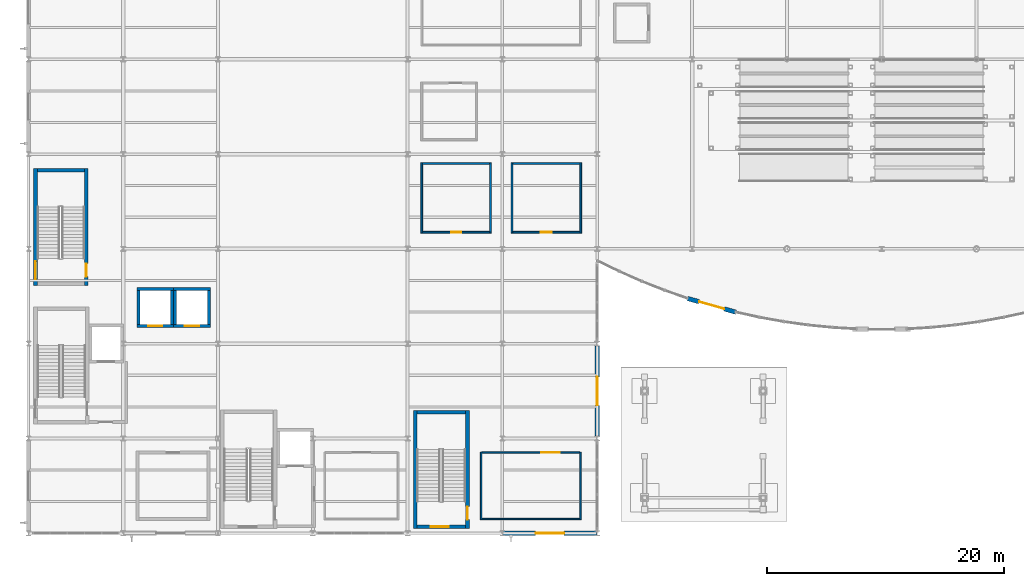
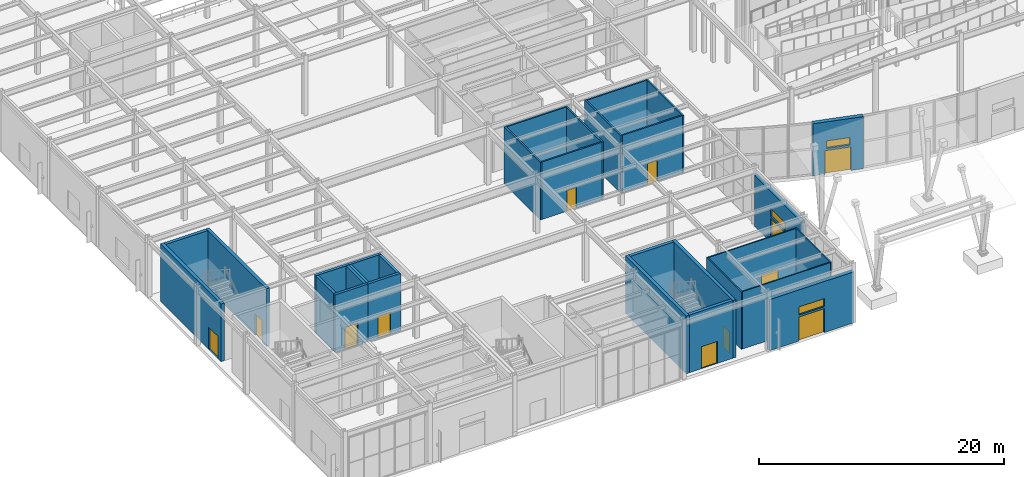
# One storey, part 59 of 82: 30 walls, 12 doors, 3 windows, 15 openings.
"""IFC4 building model written with IfcOpenShell, lengths in metres."""

from ifc_helpers import new_model, si_unit, direction, frame, frame_2d, origin, place, context, subcontext, project, spatial, rectangle, extrude, material, layer, layer_set, type_object, element, fill, save


model = new_model("IFC4")

# Units and contexts
model_context = context("Model", 3, precision=1e-05, world=origin(), true_north=direction((0.0, 1.0)))
body_context = subcontext(model_context, "Body", "Model", "MODEL_VIEW")
ifc_project = project(units=[si_unit("LENGTHUNIT", "METRE"), si_unit("AREAUNIT", "SQUARE_METRE"), si_unit("VOLUMEUNIT", "CUBIC_METRE"), si_unit("PLANEANGLEUNIT", "RADIAN"), si_unit("MASSUNIT", "GRAM", prefix="KILO")], contexts=[model_context])

# Site, building, storey
site_placement = place(None, origin())
site = spatial("IfcSite", under=ifc_project, at=site_placement, CompositionType="ELEMENT")
building_placement = place(site_placement, origin())
building = spatial("IfcBuilding", under=site, at=building_placement, Name="Drelvath Fold Interchange", CompositionType="ELEMENT")
storey_placement = place(building_placement, origin())
storey = spatial("IfcBuildingStorey", under=building, at=storey_placement, Name="L00", CompositionType="ELEMENT", Elevation=0.0)

# Wall, opening, door
ifc_material_1 = material(Name="Concrete f'c 45 MPa (6500 psi)", Category="concrete")
ifc_layer_1 = layer(ifc_material_1, 0.300048828125, Name="Concrete f'c 45 MPa (6500 psi)")
ifc_layer_set_1 = layer_set([ifc_layer_1], Name="Concrete f'c 45 MPa (6500 psi)")
wall_type_1 = type_object("IfcWallType", Name="WL-CR300", PredefinedType="SHEAR", material=ifc_layer_set_1)
wall_1_placement = place(storey_placement, frame((8.8798828125, 23.89990234375, 0.0), z_axis=(0.0, 0.0, 1.0), x_axis=(0.0, 1.0, 0.0)))
wall_1 = element("IfcWall", 1, at=wall_1_placement, inside=storey, type_object=wall_type_1, Name="ST-02 L00 east core wall", PredefinedType="SHEAR", context=body_context, shape_type="SweptSolid", body=[
    extrude(rectangle(XDim=9.900146484375, YDim=0.300048828125, at=frame_2d((4.9501953125, 0.0))), origin(), (0.0, 0.0, 1.0), 5.7548828125),
])
opening_1_placement = place(wall_1_placement, frame((0.75, 0.0, 0.0)))
opening_1 = element("IfcOpeningElement", 2, at=opening_1_placement, cuts=wall_1, Name="Opening D-L00-011", PredefinedType="OPENING", context=body_context, shape_type="SweptSolid", body=[
    extrude(rectangle(XDim=1.10009765625, YDim=2.14990234375, at=frame_2d((0.550048828125, 1.074951171875))), frame((0.0, 0.159912109375, 0.0), z_axis=(0.0, -1.0, 0.0), x_axis=(1.0, 0.0, 0.0)), (0.0, 0.0, 1.0), 0.320068359375),
])
ifc_material_2 = material(Name="Insulated Hollow Metal Door Assembly")
door_type_1 = type_object("IfcDoorType", Name="DR-ST1100", OperationType="NOTDEFINED", PredefinedType="DOOR", material=ifc_material_2)
door_1_placement = place(opening_1_placement, origin())
door_1 = element("IfcDoor", 3, at=door_1_placement, inside=storey, type_object=door_type_1, Name="ST-02 L00 stair fire door D-L00-011", OperationType="SINGLE_SWING_LEFT", OverallHeight=2.14990234375, OverallWidth=1.10009765625, PredefinedType="DOOR", context=body_context, shape_type="SweptSolid", body=[
    extrude(rectangle(XDim=1.10009765625, YDim=2.14990234375, at=frame_2d((0.550048828125, 1.074951171875))), frame((0.0, 0.02490234375, 0.0), z_axis=(0.0, -1.0, 0.0), x_axis=(1.0, 0.0, 0.0)), (0.0, 0.0, 1.0), 0.050048828125),
])
fill(opening_1, door_1)

# Wall
wall_2_placement = place(storey_placement, frame((8.72998046875, 33.64990234375, 0.0), z_axis=(0.0, 0.0, 1.0), x_axis=(-1.0, 0.0, 0.0)))
element("IfcWall", 4, at=wall_2_placement, inside=storey, type_object=wall_type_1, Name="ST-02 L00 north core wall", PredefinedType="SHEAR", context=body_context, shape_type="SweptSolid", body=[
    extrude(rectangle(XDim=3.97998046875, YDim=0.300048828125, at=frame_2d((1.989990234375, 0.0))), origin(), (0.0, 0.0, 1.0), 5.7548828125),
])

# Wall, opening, door
wall_3_placement = place(storey_placement, frame((4.60009765625, 33.800048828125, 0.0), z_axis=(0.0, 0.0, 1.0), x_axis=(0.0, -1.0, 0.0)))
wall_3 = element("IfcWall", 5, at=wall_3_placement, inside=storey, type_object=wall_type_1, Name="ST-02 L00 west core wall", PredefinedType="SHEAR", context=body_context, shape_type="SweptSolid", body=[
    extrude(rectangle(XDim=9.900146484375, YDim=0.300048828125, at=frame_2d((4.9501953125, 0.0))), origin(), (0.0, 0.0, 1.0), 5.7548828125),
])
opening_2_placement = place(wall_3_placement, frame((7.85009765625, 0.0, 0.0)))
opening_2 = element("IfcOpeningElement", 6, at=opening_2_placement, cuts=wall_3, Name="Opening E-02", PredefinedType="OPENING", context=body_context, shape_type="SweptSolid", body=[
    extrude(rectangle(XDim=1.5, YDim=2.199951171875, at=frame_2d((0.75, 1.10009765625))), frame((0.0, 0.159912109375, 0.0), z_axis=(0.0, -1.0, 0.0), x_axis=(1.0, 0.0, 0.0)), (0.0, 0.0, 1.0), 0.320068359375),
])
door_type_2 = type_object("IfcDoorType", Name="DR-EX1500", OperationType="DOUBLE_DOOR_SINGLE_SWING", PredefinedType="DOOR", material=ifc_material_2)
door_2_placement = place(opening_2_placement, frame((1.5, 0.0, 0.0), z_axis=(0.0, 0.0, 1.0), x_axis=(-1.0, 0.0, 0.0)))
door_2 = element("IfcDoor", 7, at=door_2_placement, inside=storey, type_object=door_type_2, Name="Final exit discharge door E-02", OperationType="DOUBLE_DOOR_SINGLE_SWING", OverallHeight=2.199951171875, OverallWidth=1.5, PredefinedType="DOOR", context=body_context, shape_type="SweptSolid", body=[
    extrude(rectangle(XDim=1.5, YDim=2.199951171875, at=frame_2d((0.75, 1.10009765625))), frame((0.0, 0.02490234375, 0.0), z_axis=(0.0, -1.0, 0.0), x_axis=(1.0, 0.0, 0.0)), (0.0, 0.0, 1.0), 0.050048828125),
])
fill(opening_2, door_2)

wall_4_placement = place(storey_placement, frame((36.800048828125, 3.550048828125, 0.0), z_axis=(0.0, 0.0, 1.0), x_axis=(1.0, 0.0, 0.0)))
wall_4 = element("IfcWall", 8, at=wall_4_placement, inside=storey, type_object=wall_type_1, Name="ST-04 L00 south core wall", PredefinedType="SHEAR", context=body_context, shape_type="SweptSolid", body=[
    extrude(rectangle(XDim=4.099853515625, YDim=0.300048828125, at=frame_2d((2.0498046875, 0.0))), origin(), (0.0, 0.0, 1.0), 5.7548828125),
])
opening_3_placement = place(wall_4_placement, frame((1.14990234375, 0.0, 0.0)))
opening_3 = element("IfcOpeningElement", 9, at=opening_3_placement, cuts=wall_4, Name="Opening E-04", PredefinedType="OPENING", context=body_context, shape_type="SweptSolid", body=[
    extrude(rectangle(XDim=1.5, YDim=2.199951171875, at=frame_2d((0.75, 1.10009765625))), frame((0.0, 0.159912109375, 0.0), z_axis=(0.0, -1.0, 0.0), x_axis=(1.0, 0.0, 0.0)), (0.0, 0.0, 1.0), 0.320068359375),
])
door_3_placement = place(opening_3_placement, frame((1.5, 0.0, 0.0), z_axis=(0.0, 0.0, 1.0), x_axis=(-1.0, 0.0, 0.0)))
door_3 = element("IfcDoor", 10, at=door_3_placement, inside=storey, type_object=door_type_2, Name="Final exit discharge door E-04", OperationType="DOUBLE_DOOR_SINGLE_SWING", OverallHeight=2.199951171875, OverallWidth=1.5, PredefinedType="DOOR", context=body_context, shape_type="SweptSolid", body=[
    extrude(rectangle(XDim=1.5, YDim=2.199951171875, at=frame_2d((0.75, 1.10009765625))), frame((0.0, 0.02490234375, 0.0), z_axis=(0.0, -1.0, 0.0), x_axis=(1.0, 0.0, 0.0)), (0.0, 0.0, 1.0), 0.050048828125),
])
fill(opening_3, door_3)

wall_5_placement = place(storey_placement, frame((41.050048828125, 3.39990234375, 0.0), z_axis=(0.0, 0.0, 1.0), x_axis=(0.0, 1.0, 0.0)))
wall_5 = element("IfcWall", 11, at=wall_5_placement, inside=storey, type_object=wall_type_1, Name="ST-04 L00 east core wall", PredefinedType="SHEAR", context=body_context, shape_type="SweptSolid", body=[
    extrude(rectangle(XDim=9.9501953125, YDim=0.300048828125, at=frame_2d((4.97509765625, 0.0))), origin(), (0.0, 0.0, 1.0), 5.7548828125),
])
opening_4_placement = place(wall_5_placement, frame((0.75, 0.0, 0.0)))
opening_4 = element("IfcOpeningElement", 12, at=opening_4_placement, cuts=wall_5, Name="Opening D-L00-027", PredefinedType="OPENING", context=body_context, shape_type="SweptSolid", body=[
    extrude(rectangle(XDim=1.10009765625, YDim=2.14990234375, at=frame_2d((0.550048828125, 1.074951171875))), frame((0.0, 0.159912109375, 0.0), z_axis=(0.0, -1.0, 0.0), x_axis=(1.0, 0.0, 0.0)), (0.0, 0.0, 1.0), 0.320068359375),
])
door_4_placement = place(opening_4_placement, origin())
door_4 = element("IfcDoor", 13, at=door_4_placement, inside=storey, type_object=door_type_1, Name="ST-04 L00 stair fire door D-L00-027", OperationType="SINGLE_SWING_LEFT", OverallHeight=2.14990234375, OverallWidth=1.10009765625, PredefinedType="DOOR", context=body_context, shape_type="SweptSolid", body=[
    extrude(rectangle(XDim=1.10009765625, YDim=2.14990234375, at=frame_2d((0.550048828125, 1.074951171875))), frame((0.0, 0.02490234375, 0.0), z_axis=(0.0, -1.0, 0.0), x_axis=(1.0, 0.0, 0.0)), (0.0, 0.0, 1.0), 0.050048828125),
])
fill(opening_4, door_4)

# Walls
wall_6_placement = place(storey_placement, frame((40.89990234375, 13.199951171875, 0.0), z_axis=(0.0, 0.0, 1.0), x_axis=(-1.0, 0.0, 0.0)))
element("IfcWall", 14, at=wall_6_placement, inside=storey, type_object=wall_type_1, Name="ST-04 L00 north core wall", PredefinedType="SHEAR", context=body_context, shape_type="SweptSolid", body=[
    extrude(rectangle(XDim=4.099853515625, YDim=0.300048828125, at=frame_2d((2.0498046875, 0.0))), origin(), (0.0, 0.0, 1.0), 5.7548828125),
])
wall_7_placement = place(storey_placement, frame((36.64990234375, 13.35009765625, 0.0), z_axis=(0.0, 0.0, 1.0), x_axis=(0.0, -1.0, 0.0)))
element("IfcWall", 15, at=wall_7_placement, inside=storey, type_object=wall_type_1, Name="ST-04 L00 west core wall", PredefinedType="SHEAR", context=body_context, shape_type="SweptSolid", body=[
    extrude(rectangle(XDim=9.9501953125, YDim=0.300048828125, at=frame_2d((4.97509765625, 0.0))), origin(), (0.0, 0.0, 1.0), 5.7548828125),
])

# Wall, openings, door, window
ifc_material_3 = material(Name="Precast concrete f'c 40 MPa (6000 psi)", Category="concrete")
ifc_layer_2 = layer(ifc_material_3, 0.340087890625, Name="Precast concrete f'c 40 MPa (6000 psi)")
ifc_layer_set_2 = layer_set([ifc_layer_2], Name="Precast concrete f'c 40 MPa (6000 psi)")
wall_type_2 = type_object("IfcWallType", Name="WL-EXT340", PredefinedType="SOLIDWALL", material=ifc_layer_set_2)
wall_8_placement = place(storey_placement, frame((44.012939453125, 3.0, 0.0), z_axis=(0.0, 0.0, 1.0), x_axis=(1.0, 0.0, 0.0)))
wall_8 = element("IfcWall", 16, at=wall_8_placement, inside=storey, type_object=wall_type_2, Name="L00 exterior facade wall 53", PredefinedType="SOLIDWALL", context=body_context, shape_type="SweptSolid", body=[
    extrude(rectangle(XDim=7.97412109375, YDim=0.340087890625, at=frame_2d((3.987060546875, 0.0))), origin(), (0.0, 0.0, 1.0), 5.10009765625),
])
opening_5_placement = place(wall_8_placement, frame((2.787109375, 0.0, 0.0)))
opening_5 = element("IfcOpeningElement", 17, at=opening_5_placement, cuts=wall_8, Name="Opening E-23", PredefinedType="OPENING", context=body_context, shape_type="SweptSolid", body=[
    extrude(rectangle(XDim=2.39990234375, YDim=2.39990234375, at=frame_2d((1.199951171875, 1.199951171875))), frame((0.0, 0.179931640625, 0.0), z_axis=(0.0, -1.0, 0.0), x_axis=(1.0, 0.0, 0.0)), (0.0, 0.0, 1.0), 0.360107421875),
])
opening_6_placement = place(wall_8_placement, frame((2.787109375, 0.0, 2.60009765625)))
opening_6 = element("IfcOpeningElement", 18, at=opening_6_placement, cuts=wall_8, Name="Opening W-L00-047", PredefinedType="OPENING", context=body_context, shape_type="SweptSolid", body=[
    extrude(rectangle(XDim=2.39990234375, YDim=0.800048828125, at=frame_2d((1.199951171875, 0.39990234375))), frame((0.0, 0.179931640625, 0.0), z_axis=(0.0, -1.0, 0.0), x_axis=(1.0, 0.0, 0.0)), (0.0, 0.0, 1.0), 0.360107421875),
])
ifc_material_4 = material(Name="Anodized Aluminium Glazed Door Assembly", Category="aluminium")
door_type_3 = type_object("IfcDoorType", Name="DR-EN2400", OperationType="DOUBLE_DOOR_SINGLE_SWING", PredefinedType="DOOR", material=ifc_material_4)
door_5_placement = place(opening_5_placement, frame((2.39990234375, 0.0, 0.0), z_axis=(0.0, 0.0, 1.0), x_axis=(-1.0, 0.0, 0.0)))
door_5 = element("IfcDoor", 19, at=door_5_placement, inside=storey, type_object=door_type_3, Name="Grade pedestrian entrance and final exit door E-23", OperationType="DOUBLE_DOOR_SINGLE_SWING", OverallHeight=2.39990234375, OverallWidth=2.39990234375, PredefinedType="DOOR", context=body_context, shape_type="SweptSolid", body=[
    extrude(rectangle(XDim=2.39990234375, YDim=2.39990234375, at=frame_2d((1.199951171875, 1.199951171875))), frame((0.0, 0.02490234375, 0.0), z_axis=(0.0, -1.0, 0.0), x_axis=(1.0, 0.0, 0.0)), (0.0, 0.0, 1.0), 0.050048828125),
])
fill(opening_5, door_5)
ifc_material_5 = material(Name="Low-Iron Insulated Laminated Glass", Category="glass")
window_type_1 = type_object("IfcWindowType", Name="WN-TR240x80", PartitioningType="SINGLE_PANEL", PredefinedType="LIGHTDOME", material=ifc_material_5)
window_1_placement = place(opening_6_placement, origin())
window_1 = element("IfcWindow", 20, at=window_1_placement, inside=storey, type_object=window_type_1, Name="Entrance transom window W-L00-047", OverallHeight=0.800048828125, OverallWidth=2.39990234375, PartitioningType="SINGLE_PANEL", PredefinedType="LIGHTDOME", context=body_context, shape_type="SweptSolid", body=[
    extrude(rectangle(XDim=2.39990234375, YDim=0.800048828125, at=frame_2d((1.199951171875, 0.39990234375))), frame((0.0, 0.030029296875, 0.0), z_axis=(0.0, -1.0, 0.0), x_axis=(1.0, 0.0, 0.0)), (0.0, 0.0, 1.0), 0.06005859375),
])
fill(opening_6, window_1)

wall_9_placement = place(storey_placement, frame((52.0, 11.193115234375, 0.0), z_axis=(0.0, 0.0, 1.0), x_axis=(0.0, 1.0, 0.0)))
wall_9 = element("IfcWall", 21, at=wall_9_placement, inside=storey, type_object=wall_type_2, Name="L00 exterior facade wall 54", PredefinedType="SOLIDWALL", context=body_context, shape_type="SweptSolid", body=[
    extrude(rectangle(XDim=7.614990234375, YDim=0.340087890625, at=frame_2d((3.8076171875, 0.0))), origin(), (0.0, 0.0, 1.0), 5.10009765625),
])
opening_7_placement = place(wall_9_placement, frame((2.60693359375, 0.0, 0.0)))
opening_7 = element("IfcOpeningElement", 22, at=opening_7_placement, cuts=wall_9, Name="Opening E-24", PredefinedType="OPENING", context=body_context, shape_type="SweptSolid", body=[
    extrude(rectangle(XDim=2.39990234375, YDim=2.39990234375, at=frame_2d((1.199951171875, 1.199951171875))), frame((0.0, 0.179931640625, 0.0), z_axis=(0.0, -1.0, 0.0), x_axis=(1.0, 0.0, 0.0)), (0.0, 0.0, 1.0), 0.360107421875),
])
opening_8_placement = place(wall_9_placement, frame((2.60693359375, 0.0, 2.60009765625)))
opening_8 = element("IfcOpeningElement", 23, at=opening_8_placement, cuts=wall_9, Name="Opening W-L00-048", PredefinedType="OPENING", context=body_context, shape_type="SweptSolid", body=[
    extrude(rectangle(XDim=2.39990234375, YDim=0.800048828125, at=frame_2d((1.199951171875, 0.39990234375))), frame((0.0, 0.179931640625, 0.0), z_axis=(0.0, -1.0, 0.0), x_axis=(1.0, 0.0, 0.0)), (0.0, 0.0, 1.0), 0.360107421875),
])
door_6_placement = place(opening_7_placement, frame((2.39990234375, 0.0, 0.0), z_axis=(0.0, 0.0, 1.0), x_axis=(-1.0, 0.0, 0.0)))
door_6 = element("IfcDoor", 24, at=door_6_placement, inside=storey, type_object=door_type_3, Name="Grade pedestrian entrance and final exit door E-24", OperationType="DOUBLE_DOOR_SINGLE_SWING", OverallHeight=2.39990234375, OverallWidth=2.39990234375, PredefinedType="DOOR", context=body_context, shape_type="SweptSolid", body=[
    extrude(rectangle(XDim=2.39990234375, YDim=2.39990234375, at=frame_2d((1.199951171875, 1.199951171875))), frame((0.0, 0.02490234375, 0.0), z_axis=(0.0, -1.0, 0.0), x_axis=(1.0, 0.0, 0.0)), (0.0, 0.0, 1.0), 0.050048828125),
])
fill(opening_7, door_6)
window_2_placement = place(opening_8_placement, origin())
window_2 = element("IfcWindow", 25, at=window_2_placement, inside=storey, type_object=window_type_1, Name="Entrance transom window W-L00-048", OverallHeight=0.800048828125, OverallWidth=2.39990234375, PartitioningType="SINGLE_PANEL", PredefinedType="LIGHTDOME", context=body_context, shape_type="SweptSolid", body=[
    extrude(rectangle(XDim=2.39990234375, YDim=0.800048828125, at=frame_2d((1.199951171875, 0.39990234375))), frame((0.0, 0.030029296875, 0.0), z_axis=(0.0, -1.0, 0.0), x_axis=(1.0, 0.0, 0.0)), (0.0, 0.0, 1.0), 0.06005859375),
])
fill(opening_8, window_2)

ifc_layer_3 = layer(ifc_material_3, 0.3798828125, Name="Precast concrete f'c 40 MPa (6000 psi)")
ifc_layer_set_3 = layer_set([ifc_layer_3], Name="Precast concrete f'c 40 MPa (6000 psi)")
wall_type_3 = type_object("IfcWallType", Name="WL-EXT380", PredefinedType="SOLIDWALL", material=ifc_layer_set_3)
wall_10_placement = place(storey_placement, frame((59.60595703125, 22.81591796875, 0.0), z_axis=(0.0, 0.0, 1.0), x_axis=(0.961877520315, -0.273480595132, 0.0)))
wall_10 = element("IfcWall", 26, at=wall_10_placement, inside=storey, type_object=wall_type_3, Name="L00 exterior facade wall 1", PredefinedType="SOLIDWALL", context=body_context, shape_type="SweptSolid", body=[
    extrude(rectangle(XDim=4.263671875, YDim=0.3798828125, at=frame_2d((2.1318359375, 0.0))), origin(), (0.0, 0.0, 1.0), 5.199951171875),
])
opening_9_placement = place(wall_10_placement, frame((1.031982421875, 0.0, 0.0)))
opening_9 = element("IfcOpeningElement", 27, at=opening_9_placement, cuts=wall_10, Name="Opening E-09", PredefinedType="OPENING", context=body_context, shape_type="SweptSolid", body=[
    extrude(rectangle(XDim=2.199951171875, YDim=2.35009765625, at=frame_2d((1.10009765625, 1.175048828125))), frame((0.0, 0.199951171875, 0.0), z_axis=(0.0, -1.0, 0.0), x_axis=(1.0, 0.0, 0.0)), (0.0, 0.0, 1.0), 0.39990234375),
])
opening_10_placement = place(wall_10_placement, frame((1.132080078125, 0.0, 2.550048828125)))
opening_10 = element("IfcOpeningElement", 28, at=opening_10_placement, cuts=wall_10, Name="Opening W-L00-001", PredefinedType="OPENING", context=body_context, shape_type="SweptSolid", body=[
    extrude(rectangle(XDim=2.0, YDim=0.75, at=frame_2d((1.0, 0.375))), frame((0.0, 0.199951171875, 0.0), z_axis=(0.0, -1.0, 0.0), x_axis=(1.0, 0.0, 0.0)), (0.0, 0.0, 1.0), 0.39990234375),
])
door_type_4 = type_object("IfcDoorType", Name="DR-EN2200", OperationType="DOUBLE_DOOR_SINGLE_SWING", PredefinedType="DOOR", material=ifc_material_4)
door_7_placement = place(opening_9_placement, frame((2.199951171875, 0.0, 0.0), z_axis=(0.0, 0.0, 1.0), x_axis=(-1.0, 0.0, 0.0)))
door_7 = element("IfcDoor", 29, at=door_7_placement, inside=storey, type_object=door_type_4, Name="Grade pedestrian entrance and final exit door E-09", OperationType="DOUBLE_DOOR_SINGLE_SWING", OverallHeight=2.35009765625, OverallWidth=2.199951171875, PredefinedType="DOOR", context=body_context, shape_type="SweptSolid", body=[
    extrude(rectangle(XDim=2.199951171875, YDim=2.35009765625, at=frame_2d((1.10009765625, 1.175048828125))), frame((0.0, 0.02490234375, 0.0), z_axis=(0.0, -1.0, 0.0), x_axis=(1.0, 0.0, 0.0)), (0.0, 0.0, 1.0), 0.050048828125),
])
fill(opening_9, door_7)
window_type_2 = type_object("IfcWindowType", Name="WN-TR200x75", PartitioningType="SINGLE_PANEL", PredefinedType="LIGHTDOME", material=ifc_material_5)
window_3_placement = place(opening_10_placement, origin())
window_3 = element("IfcWindow", 30, at=window_3_placement, inside=storey, type_object=window_type_2, Name="Entrance transom window W-L00-001", OverallHeight=0.75, OverallWidth=2.0, PartitioningType="SINGLE_PANEL", PredefinedType="LIGHTDOME", context=body_context, shape_type="SweptSolid", body=[
    extrude(rectangle(XDim=2.0, YDim=0.75, at=frame_2d((1.0, 0.375))), frame((0.0, 0.030029296875, 0.0), z_axis=(0.0, -1.0, 0.0), x_axis=(1.0, 0.0, 0.0)), (0.0, 0.0, 1.0), 0.06005859375),
])
fill(opening_10, window_3)

# Walls
ifc_material_6 = material(Name="Acoustic Gypsum Board Partition Assembly")
ifc_layer_4 = layer(ifc_material_6, 0.114990234375, Name="Acoustic Gypsum Board Partition Assembly")
ifc_layer_set_4 = layer_set([ifc_layer_4], Name="Acoustic Gypsum Board Partition Assembly")
wall_type_4 = type_object("IfcWallType", Name="WL-PT115", PredefinedType="PARTITIONING", material=ifc_layer_set_4)
wall_11_placement = place(storey_placement, frame((42.258056640625, 4.199951171875, 0.0), z_axis=(0.0, 0.0, 1.0), x_axis=(1.0, 0.0, 0.0)))
element("IfcWall", 31, at=wall_11_placement, inside=storey, type_object=wall_type_4, Name="Regional Rail Ticketing Office S partition", PredefinedType="PARTITIONING", context=body_context, shape_type="SweptSolid", body=[
    extrude(rectangle(XDim=8.284912109375, YDim=0.114990234375, at=frame_2d((4.142578125, 0.0))), origin(), (0.0, 0.0, 1.0), 5.72998046875),
])
wall_12_placement = place(storey_placement, frame((50.60009765625, 4.14306640625, 0.0), z_axis=(0.0, 0.0, 1.0), x_axis=(0.0, 1.0, 0.0)))
element("IfcWall", 32, at=wall_12_placement, inside=storey, type_object=wall_type_4, Name="Regional Rail Ticketing Office E partition", PredefinedType="PARTITIONING", context=body_context, shape_type="SweptSolid", body=[
    extrude(rectangle(XDim=5.7138671875, YDim=0.114990234375, at=frame_2d((2.85693359375, 0.0))), origin(), (0.0, 0.0, 1.0), 5.72998046875),
])

# Wall, opening, door
wall_13_placement = place(storey_placement, frame((50.54296875, 9.800048828125, 0.0), z_axis=(0.0, 0.0, 1.0), x_axis=(-1.0, 0.0, 0.0)))
wall_13 = element("IfcWall", 33, at=wall_13_placement, inside=storey, type_object=wall_type_4, Name="Regional Rail Ticketing Office N partition", PredefinedType="PARTITIONING", context=body_context, shape_type="SweptSolid", body=[
    extrude(rectangle(XDim=8.284912109375, YDim=0.114990234375, at=frame_2d((4.142578125, 0.0))), origin(), (0.0, 0.0, 1.0), 5.72998046875),
])
opening_11_placement = place(wall_13_placement, frame((1.705078125, 0.0, 0.0)))
opening_11 = element("IfcOpeningElement", 34, at=opening_11_placement, cuts=wall_13, Name="Opening D-L00-093", PredefinedType="OPENING", context=body_context, shape_type="SweptSolid", body=[
    extrude(rectangle(XDim=1.56005859375, YDim=2.219970703125, at=frame_2d((0.780029296875, 1.10986328125))), frame((0.0, 0.0673828125, 0.0), z_axis=(0.0, -1.0, 0.0), x_axis=(1.0, 0.0, 0.0)), (0.0, 0.0, 1.0), 0.135009765625),
])
door_type_5 = type_object("IfcDoorType", Name="DR-NR156", OperationType="DOUBLE_DOOR_SINGLE_SWING", PredefinedType="DOOR", material=ifc_material_4)
door_8_placement = place(opening_11_placement, origin())
door_8 = element("IfcDoor", 35, at=door_8_placement, inside=storey, type_object=door_type_5, Name="Regional Rail Ticketing Office door D-L00-093", OperationType="DOUBLE_DOOR_SINGLE_SWING", OverallHeight=2.219970703125, OverallWidth=1.56005859375, PredefinedType="DOOR", context=body_context, shape_type="SweptSolid", body=[
    extrude(rectangle(XDim=1.56005859375, YDim=2.219970703125, at=frame_2d((0.780029296875, 1.10986328125))), frame((0.0, 0.02490234375, 0.0), z_axis=(0.0, -1.0, 0.0), x_axis=(1.0, 0.0, 0.0)), (0.0, 0.0, 1.0), 0.050048828125),
])
fill(opening_11, door_8)

# Wall
wall_14_placement = place(storey_placement, frame((42.199951171875, 9.85693359375, 0.0), z_axis=(0.0, 0.0, 1.0), x_axis=(0.0, -1.0, 0.0)))
element("IfcWall", 36, at=wall_14_placement, inside=storey, type_object=wall_type_4, Name="Regional Rail Ticketing Office W partition", PredefinedType="PARTITIONING", context=body_context, shape_type="SweptSolid", body=[
    extrude(rectangle(XDim=5.7138671875, YDim=0.114990234375, at=frame_2d((2.85693359375, 0.0))), origin(), (0.0, 0.0, 1.0), 5.72998046875),
])

# Wall, opening, door
ifc_layer_5 = layer(ifc_material_6, 0.14501953125, Name="Acoustic Gypsum Board Partition Assembly")
ifc_layer_set_5 = layer_set([ifc_layer_5], Name="Acoustic Gypsum Board Partition Assembly")
wall_type_5 = type_object("IfcWallType", Name="WL-PT145", PredefinedType="PARTITIONING", material=ifc_layer_set_5)
wall_15_placement = place(storey_placement, frame((37.27294921875, 28.39990234375, 0.0), z_axis=(0.0, 0.0, 1.0), x_axis=(1.0, 0.0, 0.0)))
wall_15 = element("IfcWall", 37, at=wall_15_placement, inside=storey, type_object=wall_type_5, Name="Ground Concourse Public Toilet Men S partition", PredefinedType="PARTITIONING", context=body_context, shape_type="SweptSolid", body=[
    extrude(rectangle(XDim=5.655029296875, YDim=0.14501953125, at=frame_2d((2.82763671875, 0.0))), origin(), (0.0, 0.0, 1.0), 5.72998046875),
])
opening_12_placement = place(wall_15_placement, frame((2.386962890625, 0.0, 0.0)))
opening_12 = element("IfcOpeningElement", 38, at=opening_12_placement, cuts=wall_15, Name="Opening D-L00-094", PredefinedType="OPENING", context=body_context, shape_type="SweptSolid", body=[
    extrude(rectangle(XDim=0.8798828125, YDim=2.080078125, at=frame_2d((0.43994140625, 1.0400390625))), frame((0.0, 0.08251953125, 0.0), z_axis=(0.0, -1.0, 0.0), x_axis=(1.0, 0.0, 0.0)), (0.0, 0.0, 1.0), 0.1650390625),
])
door_type_6 = type_object("IfcDoorType", Name="DR-NR088", OperationType="NOTDEFINED", PredefinedType="DOOR", material=ifc_material_4)
door_9_placement = place(opening_12_placement, origin())
door_9 = element("IfcDoor", 39, at=door_9_placement, inside=storey, type_object=door_type_6, Name="Ground Concourse Public Toilet Men door D-L00-094", OperationType="SINGLE_SWING_LEFT", OverallHeight=2.080078125, OverallWidth=0.8798828125, PredefinedType="DOOR", context=body_context, shape_type="SweptSolid", body=[
    extrude(rectangle(XDim=0.8798828125, YDim=2.080078125, at=frame_2d((0.43994140625, 1.0400390625))), frame((0.0, 0.02490234375, 0.0), z_axis=(0.0, -1.0, 0.0), x_axis=(1.0, 0.0, 0.0)), (0.0, 0.0, 1.0), 0.050048828125),
])
fill(opening_12, door_9)

# Walls
wall_16_placement = place(storey_placement, frame((43.0, 28.326904296875, 0.0), z_axis=(0.0, 0.0, 1.0), x_axis=(0.0, 1.0, 0.0)))
element("IfcWall", 40, at=wall_16_placement, inside=storey, type_object=wall_type_5, Name="Ground Concourse Public Toilet Men E partition", PredefinedType="PARTITIONING", context=body_context, shape_type="SweptSolid", body=[
    extrude(rectangle(XDim=5.946044921875, YDim=0.14501953125, at=frame_2d((2.97314453125, 0.0))), origin(), (0.0, 0.0, 1.0), 5.72998046875),
])
wall_17_placement = place(storey_placement, frame((42.927978515625, 34.199951171875, 0.0), z_axis=(0.0, 0.0, 1.0), x_axis=(-1.0, 0.0, 0.0)))
element("IfcWall", 41, at=wall_17_placement, inside=storey, type_object=wall_type_5, Name="Ground Concourse Public Toilet Men N partition", PredefinedType="PARTITIONING", context=body_context, shape_type="SweptSolid", body=[
    extrude(rectangle(XDim=5.655029296875, YDim=0.14501953125, at=frame_2d((2.82763671875, 0.0))), origin(), (0.0, 0.0, 1.0), 5.72998046875),
])
wall_18_placement = place(storey_placement, frame((37.199951171875, 34.27294921875, 0.0), z_axis=(0.0, 0.0, 1.0), x_axis=(0.0, -1.0, 0.0)))
element("IfcWall", 42, at=wall_18_placement, inside=storey, type_object=wall_type_5, Name="Ground Concourse Public Toilet Men W partition", PredefinedType="PARTITIONING", context=body_context, shape_type="SweptSolid", body=[
    extrude(rectangle(XDim=5.946044921875, YDim=0.14501953125, at=frame_2d((2.97314453125, 0.0))), origin(), (0.0, 0.0, 1.0), 5.72998046875),
])

# Wall, opening, door
wall_19_placement = place(storey_placement, frame((44.8720703125, 28.39990234375, 0.0), z_axis=(0.0, 0.0, 1.0), x_axis=(1.0, 0.0, 0.0)))
wall_19 = element("IfcWall", 43, at=wall_19_placement, inside=storey, type_object=wall_type_5, Name="Ground Concourse Public Toilet Women S partition", PredefinedType="PARTITIONING", context=body_context, shape_type="SweptSolid", body=[
    extrude(rectangle(XDim=5.656005859375, YDim=0.14501953125, at=frame_2d((2.828125, 0.0))), origin(), (0.0, 0.0, 1.0), 5.72998046875),
])
opening_13_placement = place(wall_19_placement, frame((2.367919921875, 0.0, 0.0)))
opening_13 = element("IfcOpeningElement", 44, at=opening_13_placement, cuts=wall_19, Name="Opening D-L00-095", PredefinedType="OPENING", context=body_context, shape_type="SweptSolid", body=[
    extrude(rectangle(XDim=0.919921875, YDim=2.10009765625, at=frame_2d((0.4599609375, 1.050048828125))), frame((0.0, 0.08251953125, 0.0), z_axis=(0.0, -1.0, 0.0), x_axis=(1.0, 0.0, 0.0)), (0.0, 0.0, 1.0), 0.1650390625),
])
door_type_7 = type_object("IfcDoorType", Name="DR-NR092", OperationType="NOTDEFINED", PredefinedType="DOOR", material=ifc_material_4)
door_10_placement = place(opening_13_placement, origin())
door_10 = element("IfcDoor", 45, at=door_10_placement, inside=storey, type_object=door_type_7, Name="Ground Concourse Public Toilet Women door D-L00-095", OperationType="SINGLE_SWING_RIGHT", OverallHeight=2.10009765625, OverallWidth=0.919921875, PredefinedType="DOOR", context=body_context, shape_type="SweptSolid", body=[
    extrude(rectangle(XDim=0.919921875, YDim=2.10009765625, at=frame_2d((0.4599609375, 1.050048828125))), frame((0.0, 0.02490234375, 0.0), z_axis=(0.0, -1.0, 0.0), x_axis=(1.0, 0.0, 0.0)), (0.0, 0.0, 1.0), 0.050048828125),
])
fill(opening_13, door_10)

# Walls
wall_20_placement = place(storey_placement, frame((50.60009765625, 28.326904296875, 0.0), z_axis=(0.0, 0.0, 1.0), x_axis=(0.0, 1.0, 0.0)))
element("IfcWall", 46, at=wall_20_placement, inside=storey, type_object=wall_type_5, Name="Ground Concourse Public Toilet Women E partition", PredefinedType="PARTITIONING", context=body_context, shape_type="SweptSolid", body=[
    extrude(rectangle(XDim=5.946044921875, YDim=0.14501953125, at=frame_2d((2.97314453125, 0.0))), origin(), (0.0, 0.0, 1.0), 5.72998046875),
])
wall_21_placement = place(storey_placement, frame((50.528076171875, 34.199951171875, 0.0), z_axis=(0.0, 0.0, 1.0), x_axis=(-1.0, 0.0, 0.0)))
element("IfcWall", 47, at=wall_21_placement, inside=storey, type_object=wall_type_5, Name="Ground Concourse Public Toilet Women N partition", PredefinedType="PARTITIONING", context=body_context, shape_type="SweptSolid", body=[
    extrude(rectangle(XDim=5.656005859375, YDim=0.14501953125, at=frame_2d((2.828125, 0.0))), origin(), (0.0, 0.0, 1.0), 5.72998046875),
])
wall_22_placement = place(storey_placement, frame((44.800048828125, 34.27294921875, 0.0), z_axis=(0.0, 0.0, 1.0), x_axis=(0.0, -1.0, 0.0)))
element("IfcWall", 48, at=wall_22_placement, inside=storey, type_object=wall_type_5, Name="Ground Concourse Public Toilet Women W partition", PredefinedType="PARTITIONING", context=body_context, shape_type="SweptSolid", body=[
    extrude(rectangle(XDim=5.946044921875, YDim=0.14501953125, at=frame_2d((2.97314453125, 0.0))), origin(), (0.0, 0.0, 1.0), 5.72998046875),
])

# Wall, opening, door
ifc_layer_6 = layer(ifc_material_1, 0.25, Name="Concrete f'c 45 MPa (6500 psi)")
ifc_layer_set_6 = layer_set([ifc_layer_6], Name="Concrete f'c 45 MPa (6500 psi)")
wall_type_6 = type_object("IfcWallType", Name="WL-SH250", PredefinedType="SOLIDWALL", material=ifc_layer_set_6)
wall_23_placement = place(storey_placement, frame((13.14990234375, 20.47509765625, 0.0), z_axis=(0.0, 0.0, 1.0), x_axis=(1.0, 0.0, 0.0)))
wall_23 = element("IfcWall", 49, at=wall_23_placement, inside=storey, type_object=wall_type_6, Name="LF-01 L00 south shaft wall", PredefinedType="SOLIDWALL", context=body_context, shape_type="SweptSolid", body=[
    extrude(rectangle(XDim=3.10009765625, YDim=0.25, at=frame_2d((1.550048828125, 0.0))), origin(), (0.0, 0.0, 1.0), 5.7548828125),
])
opening_14_placement = place(wall_23_placement, frame((0.949951171875, 0.0, 0.0)))
opening_14 = element("IfcOpeningElement", 50, at=opening_14_placement, cuts=wall_23, Name="Opening LD-LF-01-L00", PredefinedType="OPENING", context=body_context, shape_type="SweptSolid", body=[
    extrude(rectangle(XDim=1.199951171875, YDim=2.199951171875, at=frame_2d((0.60009765625, 1.10009765625))), frame((0.0, 0.135009765625, 0.0), z_axis=(0.0, -1.0, 0.0), x_axis=(1.0, 0.0, 0.0)), (0.0, 0.0, 1.0), 0.27001953125),
])
door_type_8 = type_object("IfcDoorType", Name="DR-LD1200", OperationType="DOUBLE_DOOR_SLIDING", PredefinedType="DOOR", material=ifc_material_2)
door_11_placement = place(opening_14_placement, frame((1.199951171875, 0.0, 0.0), z_axis=(0.0, 0.0, 1.0), x_axis=(-1.0, 0.0, 0.0)))
door_11 = element("IfcDoor", 51, at=door_11_placement, inside=storey, type_object=door_type_8, Name="LF-01 L00 lift landing sliding door LD-LF-01-L00", OperationType="DOUBLE_DOOR_SLIDING", OverallHeight=2.199951171875, OverallWidth=1.199951171875, PredefinedType="DOOR", context=body_context, shape_type="SweptSolid", body=[
    extrude(rectangle(XDim=1.199951171875, YDim=2.199951171875, at=frame_2d((0.60009765625, 1.10009765625))), frame((0.0, 0.02490234375, 0.0), z_axis=(0.0, -1.0, 0.0), x_axis=(1.0, 0.0, 0.0)), (0.0, 0.0, 1.0), 0.050048828125),
])
fill(opening_14, door_11)

# Walls
wall_24_placement = place(storey_placement, frame((16.25, 23.625, 0.0), z_axis=(0.0, 0.0, 1.0), x_axis=(-1.0, 0.0, 0.0)))
element("IfcWall", 52, at=wall_24_placement, inside=storey, type_object=wall_type_6, Name="LF-01 L00 north shaft wall", PredefinedType="SOLIDWALL", context=body_context, shape_type="SweptSolid", body=[
    extrude(rectangle(XDim=3.10009765625, YDim=0.25, at=frame_2d((1.550048828125, 0.0))), origin(), (0.0, 0.0, 1.0), 5.7548828125),
])
for number, where, z_axis, x_axis, name in (
    (53, (16.125, 20.60009765625, 0.0), (0.0, 0.0, 1.0), (0.0, 1.0, 0.0), "LF-01 L00 east shaft wall"),
    (54, (13.27490234375, 23.5, 0.0), (0.0, 0.0, 1.0), (0.0, -1.0, 0.0), "LF-01 L00 west shaft wall"),
):
    element("IfcWall", number, at=place(storey_placement, frame(where, z_axis=z_axis, x_axis=x_axis)), inside=storey, type_object=wall_type_6, Name=name, PredefinedType="SOLIDWALL", context=body_context, shape_type="SweptSolid", body=[
        extrude(rectangle(XDim=2.89990234375, YDim=0.25, at=frame_2d((1.449951171875, 0.0))), origin(), (0.0, 0.0, 1.0), 5.7548828125),
    ])

# Wall, opening, door
wall_25_placement = place(storey_placement, frame((16.25, 20.47509765625, 0.0), z_axis=(0.0, 0.0, 1.0), x_axis=(1.0, 0.0, 0.0)))
wall_25 = element("IfcWall", 55, at=wall_25_placement, inside=storey, type_object=wall_type_6, Name="LF-02 L00 south shaft wall", PredefinedType="SOLIDWALL", context=body_context, shape_type="SweptSolid", body=[
    extrude(rectangle(XDim=3.10009765625, YDim=0.25, at=frame_2d((1.550048828125, 0.0))), origin(), (0.0, 0.0, 1.0), 5.7548828125),
])
opening_15_placement = place(wall_25_placement, frame((0.949951171875, 0.0, 0.0)))
opening_15 = element("IfcOpeningElement", 56, at=opening_15_placement, cuts=wall_25, Name="Opening LD-LF-02-L00", PredefinedType="OPENING", context=body_context, shape_type="SweptSolid", body=[
    extrude(rectangle(XDim=1.199951171875, YDim=2.199951171875, at=frame_2d((0.60009765625, 1.10009765625))), frame((0.0, 0.135009765625, 0.0), z_axis=(0.0, -1.0, 0.0), x_axis=(1.0, 0.0, 0.0)), (0.0, 0.0, 1.0), 0.27001953125),
])
door_12_placement = place(opening_15_placement, frame((1.199951171875, 0.0, 0.0), z_axis=(0.0, 0.0, 1.0), x_axis=(-1.0, 0.0, 0.0)))
door_12 = element("IfcDoor", 57, at=door_12_placement, inside=storey, type_object=door_type_8, Name="LF-02 L00 lift landing sliding door LD-LF-02-L00", OperationType="DOUBLE_DOOR_SLIDING", OverallHeight=2.199951171875, OverallWidth=1.199951171875, PredefinedType="DOOR", context=body_context, shape_type="SweptSolid", body=[
    extrude(rectangle(XDim=1.199951171875, YDim=2.199951171875, at=frame_2d((0.60009765625, 1.10009765625))), frame((0.0, 0.02490234375, 0.0), z_axis=(0.0, -1.0, 0.0), x_axis=(1.0, 0.0, 0.0)), (0.0, 0.0, 1.0), 0.050048828125),
])
fill(opening_15, door_12)

# Walls
wall_26_placement = place(storey_placement, frame((19.35009765625, 23.625, 0.0), z_axis=(0.0, 0.0, 1.0), x_axis=(-1.0, 0.0, 0.0)))
element("IfcWall", 58, at=wall_26_placement, inside=storey, type_object=wall_type_6, Name="LF-02 L00 north shaft wall", PredefinedType="SOLIDWALL", context=body_context, shape_type="SweptSolid", body=[
    extrude(rectangle(XDim=3.10009765625, YDim=0.25, at=frame_2d((1.550048828125, 0.0))), origin(), (0.0, 0.0, 1.0), 5.7548828125),
])
for number, where, z_axis, x_axis, name in (
    (59, (19.22509765625, 20.60009765625, 0.0), (0.0, 0.0, 1.0), (0.0, 1.0, 0.0), "LF-02 L00 east shaft wall"),
    (60, (16.375, 23.5, 0.0), (0.0, 0.0, 1.0), (0.0, -1.0, 0.0), "LF-02 L00 west shaft wall"),
):
    element("IfcWall", number, at=place(storey_placement, frame(where, z_axis=z_axis, x_axis=x_axis)), inside=storey, type_object=wall_type_6, Name=name, PredefinedType="SOLIDWALL", context=body_context, shape_type="SweptSolid", body=[
        extrude(rectangle(XDim=2.89990234375, YDim=0.25, at=frame_2d((1.449951171875, 0.0))), origin(), (0.0, 0.0, 1.0), 5.7548828125),
    ])

save(model, "model.ifc")
